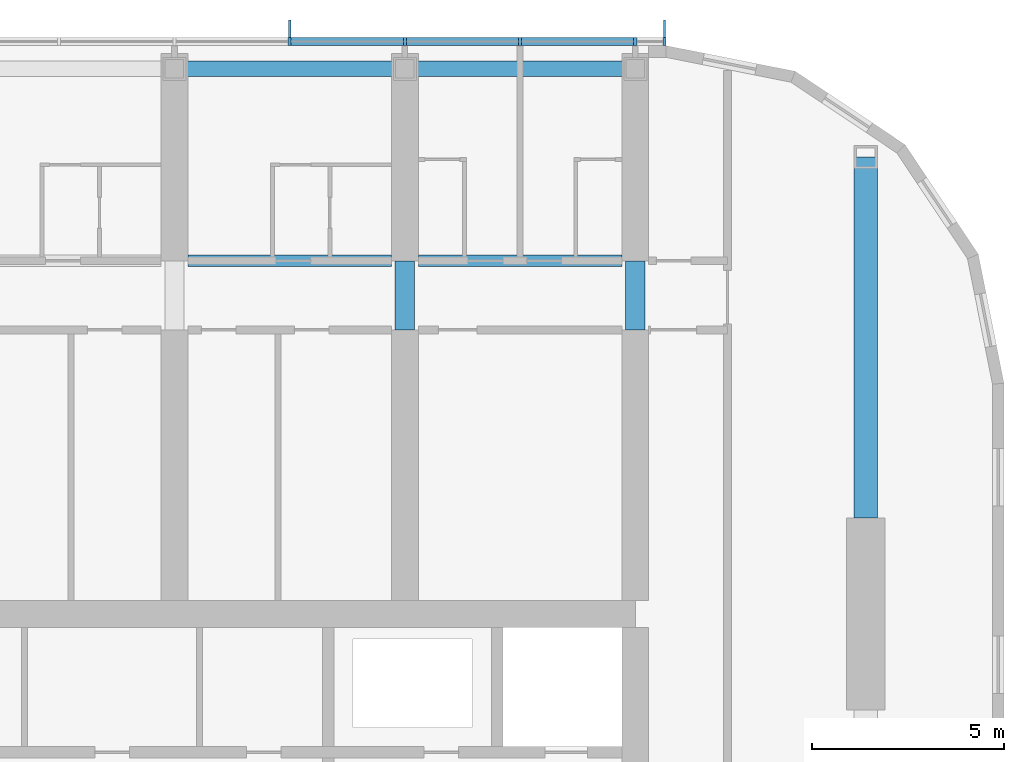
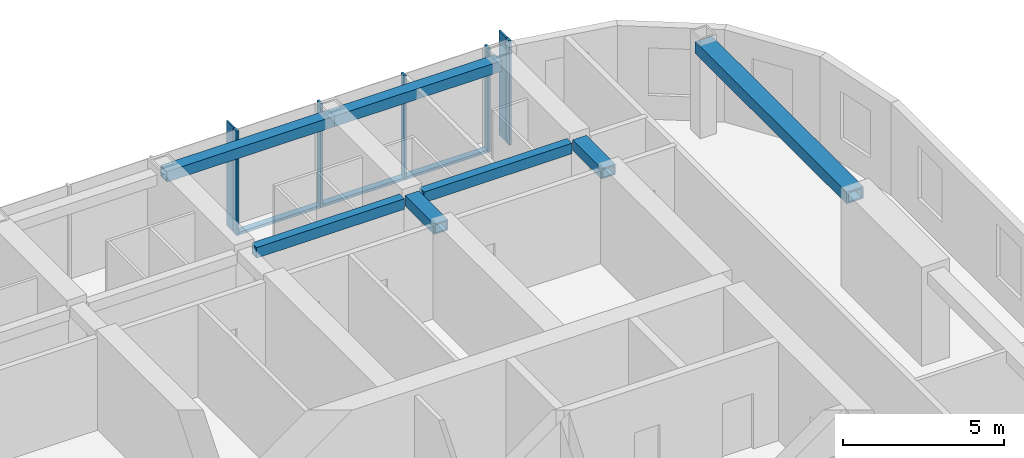
# One storey, part 7 of 27: 10 members, 7 beams, 1 element without a shape of its own.
"""IFC4 building model written with IfcOpenShell, lengths in metres."""

from ifc_helpers import new_model, si_unit, direction, frame, origin, origin_2d, place, context, subcontext, project, spatial, rectangle, hollow_rectangle, extrude, material, material_profile, profile_set, type_object, element, aggregate, save


model = new_model("IFC4")

# Units and contexts
model_context = context("Model", 3, precision=1e-05, world=origin(), true_north=direction((0.0, 1.0)))
body_context = subcontext(model_context, "Body", "Model", "MODEL_VIEW")
ifc_project = project(units=[si_unit("LENGTHUNIT", "METRE"), si_unit("AREAUNIT", "SQUARE_METRE"), si_unit("VOLUMEUNIT", "CUBIC_METRE"), si_unit("PLANEANGLEUNIT", "RADIAN"), si_unit("MASSUNIT", "GRAM", prefix="KILO")], contexts=[model_context])

# Site, building, storey
site_placement = place(None, origin())
site = spatial("IfcSite", under=ifc_project, at=site_placement, CompositionType="ELEMENT")
building_placement = place(site_placement, origin())
building = spatial("IfcBuilding", under=site, at=building_placement, Name="Orbita Commons", CompositionType="ELEMENT")
storey_placement = place(building_placement, frame((0.0, 0.0, 246.550048828125)))
storey = spatial("IfcBuildingStorey", under=building, at=storey_placement, Name="L61", CompositionType="ELEMENT", Elevation=246.550048828125)

# Curtain wall, members
ifc_material_1 = material(Name="Anodised aluminium frame, pale silver", Category="aluminium")
curtain_wall_type = type_object("IfcCurtainWallType", Name="Unitised curtain wall CW-U, full-height vision", PredefinedType="NOTDEFINED", material=ifc_material_1)
curtain_wall_placement = place(storey_placement, origin())
curtain_wall = element("IfcCurtainWall", 1, at=curtain_wall_placement, inside=storey, type_object=curtain_wall_type, Name="Curtain wall north L61", PredefinedType="NOTDEFINED")
ifc_material_2 = material(Name="Anodised aluminium, pale silver", Category="aluminium")
ifc_material_profile_1 = material_profile(ifc_material_2, rectangle(XDim=0.080078125, YDim=0.219970703125, at=origin_2d()), Name="AL 80x220")
ifc_profile_set_1 = profile_set([ifc_material_profile_1], Name="Anodised aluminium, pale silver")
member_type_1 = type_object("IfcMemberType", Name="Curtain wall mullion 80x220", PredefinedType="MULLION", material=ifc_profile_set_1)
member_1_placement = place(storey_placement, frame((66.760009765625, 53.110107421875, -0.449951171875), z_axis=(0.0, 0.0, 1.0), x_axis=(-1.0, 0.0, 0.0)))
member_1 = element("IfcMember", 2, at=member_1_placement, type_object=member_type_1, Name="Mullion 1 CW-L61-N", PredefinedType="MULLION", context=body_context, shape_type="SweptSolid", body=[
    extrude(rectangle(XDim=0.080078125, YDim=0.219970703125, at=origin_2d()), origin(), (0.0, 0.0, 1.0), 3.949951171875),
])
member_2_placement = place(storey_placement, frame((66.0, 53.110107421875, -0.449951171875), z_axis=(0.0, 0.0, 1.0), x_axis=(-1.0, 0.0, 0.0)))
member_2 = element("IfcMember", 3, at=member_2_placement, type_object=member_type_1, Name="Mullion 2 CW-L61-N", PredefinedType="MULLION", context=body_context, shape_type="SweptSolid", body=[
    extrude(rectangle(XDim=0.080078125, YDim=0.219970703125, at=origin_2d()), origin(), (0.0, 0.0, 1.0), 3.949951171875),
])
member_3_placement = place(storey_placement, frame((63.0, 53.110107421875, -0.449951171875), z_axis=(0.0, 0.0, 1.0), x_axis=(-1.0, 0.0, 0.0)))
member_3 = element("IfcMember", 4, at=member_3_placement, type_object=member_type_1, Name="Mullion 3 CW-L61-N", PredefinedType="MULLION", context=body_context, shape_type="SweptSolid", body=[
    extrude(rectangle(XDim=0.080078125, YDim=0.219970703125, at=origin_2d()), origin(), (0.0, 0.0, 1.0), 3.949951171875),
])
member_4_placement = place(storey_placement, frame((60.0, 53.110107421875, -0.449951171875), z_axis=(0.0, 0.0, 1.0), x_axis=(-1.0, 0.0, 0.0)))
member_4 = element("IfcMember", 5, at=member_4_placement, type_object=member_type_1, Name="Mullion 4 CW-L61-N", PredefinedType="MULLION", context=body_context, shape_type="SweptSolid", body=[
    extrude(rectangle(XDim=0.080078125, YDim=0.219970703125, at=origin_2d()), origin(), (0.0, 0.0, 1.0), 3.949951171875),
])
member_5_placement = place(storey_placement, frame((57.0, 53.110107421875, -0.449951171875), z_axis=(0.0, 0.0, 1.0), x_axis=(-1.0, 0.0, 0.0)))
member_5 = element("IfcMember", 6, at=member_5_placement, type_object=member_type_1, Name="Mullion 5 CW-L61-N", PredefinedType="MULLION", context=body_context, shape_type="SweptSolid", body=[
    extrude(rectangle(XDim=0.080078125, YDim=0.219970703125, at=origin_2d()), origin(), (0.0, 0.0, 1.0), 3.949951171875),
])
ifc_material_3 = material(Name="Anodised aluminium, pale silver", Category="aluminium")
ifc_material_profile_2 = material_profile(ifc_material_3, rectangle(XDim=0.219970703125, YDim=0.10009765625, at=origin_2d()), Name="AL 220x100")
ifc_profile_set_2 = profile_set([ifc_material_profile_2], Name="Anodised aluminium, pale silver")
member_type_2 = type_object("IfcMemberType", Name="Curtain wall stack transom 220x100", PredefinedType="USERDEFINED", material=ifc_profile_set_2)
member_6_placement = place(storey_placement, frame((65.9599609375, 53.110107421875, -0.400146484375), z_axis=(-1.0, 0.0, 0.0), x_axis=(0.0, -1.0, 0.0)))
member_6 = element("IfcMember", 7, at=member_6_placement, type_object=member_type_2, Name="Transom 2.1 CW-L61-N", ObjectType="TRANSOM", PredefinedType="USERDEFINED", context=body_context, shape_type="SweptSolid", body=[
    extrude(rectangle(XDim=0.219970703125, YDim=0.10009765625, at=origin_2d()), origin(), (0.0, 0.0, 1.0), 2.919921875),
])
member_7_placement = place(storey_placement, frame((62.9599609375, 53.110107421875, -0.400146484375), z_axis=(-1.0, 0.0, 0.0), x_axis=(0.0, -1.0, 0.0)))
member_7 = element("IfcMember", 8, at=member_7_placement, type_object=member_type_2, Name="Transom 3.1 CW-L61-N", ObjectType="TRANSOM", PredefinedType="USERDEFINED", context=body_context, shape_type="SweptSolid", body=[
    extrude(rectangle(XDim=0.219970703125, YDim=0.10009765625, at=origin_2d()), origin(), (0.0, 0.0, 1.0), 2.919921875),
])
member_8_placement = place(storey_placement, frame((59.9599609375, 53.110107421875, -0.400146484375), z_axis=(-1.0, 0.0, 0.0), x_axis=(0.0, -1.0, 0.0)))
member_8 = element("IfcMember", 9, at=member_8_placement, type_object=member_type_2, Name="Transom 4.1 CW-L61-N", ObjectType="TRANSOM", PredefinedType="USERDEFINED", context=body_context, shape_type="SweptSolid", body=[
    extrude(rectangle(XDim=0.219970703125, YDim=0.10009765625, at=origin_2d()), origin(), (0.0, 0.0, 1.0), 2.919921875),
])

# Beams
ifc_material_4 = material(Name="Steel ASTM A572 Gr 50 welded plate", Category="steel")
ifc_material_profile_3 = material_profile(ifc_material_4, hollow_rectangle(XDim=0.300048828125, YDim=0.39990234375, WallThickness=0.0400390625, at=origin_2d()), Name="BOX 400x300x40")
ifc_profile_set_3 = profile_set([ifc_material_profile_3], Name="Steel ASTM A572 Gr 50 welded plate")
beam_type_1 = type_object("IfcBeamType", Name="Steel corridor link BOX 400x300x40", PredefinedType="BEAM", material=ifc_profile_set_3)
for number, where, z_axis, x_axis, name in (
    (10, (54.35009765625, 47.39990234375, 3.300048828125), (1.0, 0.0, 0.0), (0.0, 1.0, 0.0), "Corridor beam NB 10-11 L61"),
    (11, (60.35009765625, 47.39990234375, 3.300048828125), (1.0, 0.0, 0.0), (0.0, 1.0, 0.0), "Corridor beam NB 11-12 L61"),
):
    element("IfcBeam", number, at=place(storey_placement, frame(where, z_axis=z_axis, x_axis=x_axis)), inside=storey, type_object=beam_type_1, Name=name, PredefinedType="BEAM", context=body_context, shape_type="SweptSolid", body=[
        extrude(hollow_rectangle(XDim=0.300048828125, YDim=0.39990234375, WallThickness=0.0400390625, at=origin_2d()), origin(), (0.0, 0.0, 1.0), 5.2998046875),
    ])
ifc_material_5 = material(Name="Steel ASTM A572 Gr 50 welded plate", Category="steel")
ifc_material_profile_4 = material_profile(ifc_material_5, hollow_rectangle(XDim=0.5, YDim=0.39990234375, WallThickness=0.050048828125, at=origin_2d()), Name="BOX 400x500x50")
ifc_profile_set_4 = profile_set([ifc_material_profile_4], Name="Steel ASTM A572 Gr 50 welded plate")
beam_type_2 = type_object("IfcBeamType", Name="Steel coupling link BOX 400x500x50", PredefinedType="LINTEL", material=ifc_profile_set_4)
for number, where, z_axis, x_axis, name in (
    (12, (60.0, 45.60009765625, 3.300048828125), (0.0, 1.0, 0.0), (-1.0, 0.0, 0.0), "Coupling beam 11 north L61"),
    (13, (66.0, 45.60009765625, 3.300048828125), (0.0, 1.0, 0.0), (-1.0, 0.0, 0.0), "Coupling beam 12 north L61"),
):
    element("IfcBeam", number, at=place(storey_placement, frame(where, z_axis=z_axis, x_axis=x_axis)), inside=storey, type_object=beam_type_2, Name=name, PredefinedType="LINTEL", context=body_context, shape_type="SweptSolid", body=[
        extrude(hollow_rectangle(XDim=0.5, YDim=0.39990234375, WallThickness=0.050048828125, at=origin_2d()), origin(), (0.0, 0.0, 1.0), 1.7998046875),
    ])
ifc_material_6 = material(Name="Steel ASTM A572 Gr 50 welded plate", Category="steel")
ifc_material_profile_5 = material_profile(ifc_material_6, hollow_rectangle(XDim=0.60009765625, YDim=0.449951171875, WallThickness=0.06005859375, at=origin_2d()), Name="BOX 450x600x60")
ifc_profile_set_5 = profile_set([ifc_material_profile_5], Name="Steel ASTM A572 Gr 50 welded plate")
beam_type_3 = type_object("IfcBeamType", Name="Steel end frame link BOX 450x600x60", PredefinedType="BEAM", material=ifc_profile_set_5)
beam_placement = place(storey_placement, frame((72.0, 40.699951171875, 3.27490234375), z_axis=(0.0, 1.0, 0.0), x_axis=(-1.0, 0.0, 0.0)))
element("IfcBeam", 14, at=beam_placement, inside=storey, type_object=beam_type_3, Name="End frame beam 13 D-E L61", PredefinedType="BEAM", context=body_context, shape_type="SweptSolid", body=[
    extrude(hollow_rectangle(XDim=0.60009765625, YDim=0.449951171875, WallThickness=0.06005859375, at=origin_2d()), origin(), (0.0, 0.0, 1.0), 9.400146484375),
])
ifc_material_7 = material(Name="Steel ASTM A572 Gr 50 welded plate", Category="steel")
ifc_material_profile_6 = material_profile(ifc_material_7, hollow_rectangle(XDim=0.39990234375, YDim=0.39990234375, WallThickness=0.0400390625, at=origin_2d()), Name="BOX 400x400x40")
ifc_profile_set_6 = profile_set([ifc_material_profile_6], Name="Steel ASTM A572 Gr 50 welded plate")
beam_type_4 = type_object("IfcBeamType", Name="Steel spandrel BOX 400x400x40", PredefinedType="SPANDREL", material=ifc_profile_set_6)
for number, where, z_axis, x_axis, name in (
    (15, (54.0, 52.39990234375, 3.300048828125), (1.0, 0.0, 0.0), (0.0, 1.0, 0.0), "Spandrel beam E 10-11 L61"),
    (16, (60.0, 52.39990234375, 3.300048828125), (1.0, 0.0, 0.0), (0.0, 1.0, 0.0), "Spandrel beam E 11-12 L61"),
):
    element("IfcBeam", number, at=place(storey_placement, frame(where, z_axis=z_axis, x_axis=x_axis)), inside=storey, type_object=beam_type_4, Name=name, PredefinedType="SPANDREL", context=body_context, shape_type="SweptSolid", body=[
        extrude(hollow_rectangle(XDim=0.39990234375, YDim=0.39990234375, WallThickness=0.0400390625, at=origin_2d()), origin(), (0.0, 0.0, 1.0), 6.0),
    ])

# Member
ifc_material_8 = material(Name="Anodised aluminium, pale silver", Category="aluminium")
ifc_material_profile_7 = material_profile(ifc_material_8, rectangle(XDim=0.06005859375, YDim=0.449951171875, at=origin_2d()), Name="FIN 60x450")
ifc_profile_set_7 = profile_set([ifc_material_profile_7], Name="Anodised aluminium, pale silver")
member_type_3 = type_object("IfcMemberType", Name="Vertical fin 60x450 pale aluminium", PredefinedType="USERDEFINED", material=ifc_profile_set_7)
member_9_placement = place(storey_placement, frame((66.760009765625, 53.445068359375, -0.449951171875), z_axis=(0.0, 0.0, 1.0), x_axis=(-1.0, 0.0, 0.0)))
member_9 = element("IfcMember", 17, at=member_9_placement, type_object=member_type_3, Name="Fin 1 CW-L61-N", ObjectType="FIN", PredefinedType="USERDEFINED", context=body_context, shape_type="SweptSolid", body=[
    extrude(rectangle(XDim=0.06005859375, YDim=0.449951171875, at=origin_2d()), origin(), (0.0, 0.0, 1.0), 3.949951171875),
])

member_10_placement = place(storey_placement, frame((57.0, 53.445068359375, -0.449951171875), z_axis=(0.0, 0.0, 1.0), x_axis=(-1.0, 0.0, 0.0)))
member_10 = element("IfcMember", 18, at=member_10_placement, type_object=member_type_3, Name="Fin 5 CW-L61-N", ObjectType="FIN", PredefinedType="USERDEFINED", context=body_context, shape_type="SweptSolid", body=[
    extrude(rectangle(XDim=0.06005859375, YDim=0.449951171875, at=origin_2d()), origin(), (0.0, 0.0, 1.0), 3.949951171875),
])

aggregate(curtain_wall, [member_1, member_9, member_2, member_3, member_4, member_5, member_10, member_6, member_7, member_8])

save(model, "model.ifc")
